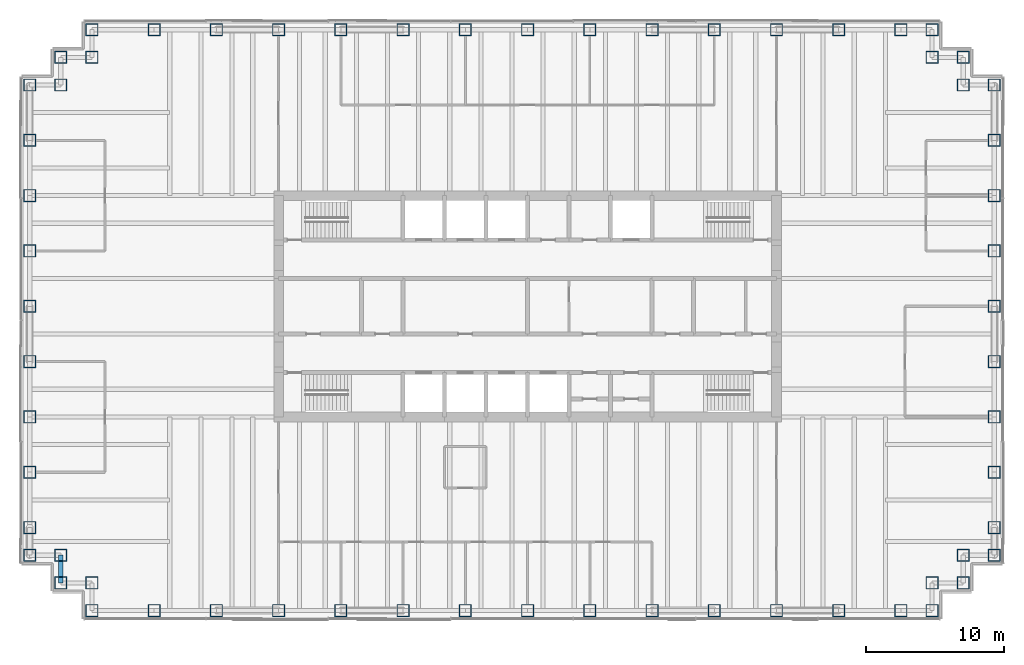
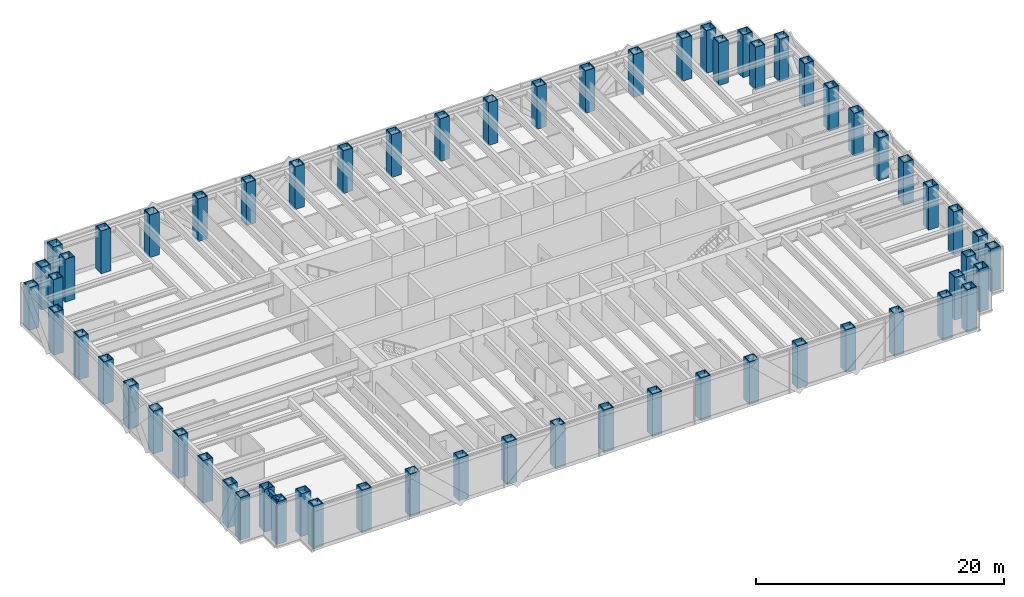
# One storey, part 1 of 15: 62 columns, 1 beam.
"""IFC4 building model written with IfcOpenShell, lengths in metres."""

from ifc_helpers import new_model, si_unit, direction, frame, origin, origin_2d, place, context, subcontext, project, spatial, hollow_rectangle, i_section, extrude, material, material_profile, profile_set, type_object, element, save


model = new_model("IFC4")

# Units and contexts
model_context = context("Model", 3, precision=1e-05, world=origin(), true_north=direction((0.0, 1.0)))
body_context = subcontext(model_context, "Body", "Model", "MODEL_VIEW")
ifc_project = project(units=[si_unit("LENGTHUNIT", "METRE"), si_unit("AREAUNIT", "SQUARE_METRE"), si_unit("VOLUMEUNIT", "CUBIC_METRE"), si_unit("PLANEANGLEUNIT", "RADIAN"), si_unit("MASSUNIT", "GRAM", prefix="KILO")], contexts=[model_context])

# Site, building, storey
site_placement = place(None, origin())
site = spatial("IfcSite", under=ifc_project, at=site_placement, CompositionType="ELEMENT")
building_placement = place(site_placement, origin())
building = spatial("IfcBuilding", under=site, at=building_placement, Name="Rheinbord Bourse Tower", CompositionType="ELEMENT")
storey_placement = place(building_placement, frame((0.0, 0.0, 292.10009765625)))
storey = spatial("IfcBuildingStorey", under=building, at=storey_placement, Name="L66", CompositionType="ELEMENT", Elevation=292.10009765625)

# Columns
ifc_material_1 = material(Name="Steel S460M", Category="steel")
ifc_material_profile_1 = material_profile(ifc_material_1, hollow_rectangle(XDim=0.89990234375, YDim=0.89990234375, WallThickness=0.06005859375, at=origin_2d()), Name="BOX 900x900x60")
ifc_profile_set_1 = profile_set([ifc_material_profile_1], Name="Steel S460M")
column_type = type_object("IfcColumnType", Name="TUBE COLUMN BOX 900x900x60", PredefinedType="COLUMN", material=ifc_profile_set_1)
for number, where, z_axis, x_axis, name in (
    (1, (4.5, 2.0, 0.0), (0.0, 0.0, 1.0), (0.0, 1.0, 0.0), "Column SW-E L66"),
    (2, (9.0, 2.0, 0.0), (0.0, 0.0, 1.0), (0.0, 1.0, 0.0), "Column S-9 L66"),
    (3, (13.5, 2.0, 0.0), (0.0, 0.0, 1.0), (0.0, 1.0, 0.0), "Column S-13.5 L66"),
    (4, (18.0, 2.0, 0.0), (0.0, 0.0, 1.0), (0.0, 1.0, 0.0), "Column S-18 L66"),
    (5, (22.5, 2.0, 0.0), (0.0, 0.0, 1.0), (0.0, 1.0, 0.0), "Column S-22.5 L66"),
    (6, (27.0, 2.0, 0.0), (0.0, 0.0, 1.0), (0.0, 1.0, 0.0), "Column S-27 L66"),
    (7, (31.5, 2.0, 0.0), (0.0, 0.0, 1.0), (0.0, 1.0, 0.0), "Column S-31.5 L66"),
    (8, (36.0, 2.0, 0.0), (0.0, 0.0, 1.0), (0.0, 1.0, 0.0), "Column S-36 L66"),
    (9, (40.5, 2.0, 0.0), (0.0, 0.0, 1.0), (0.0, 1.0, 0.0), "Column S-40.5 L66"),
    (10, (45.0, 2.0, 0.0), (0.0, 0.0, 1.0), (0.0, 1.0, 0.0), "Column S-45 L66"),
    (11, (49.5, 2.0, 0.0), (0.0, 0.0, 1.0), (0.0, 1.0, 0.0), "Column S-49.5 L66"),
    (12, (54.0, 2.0, 0.0), (0.0, 0.0, 1.0), (0.0, 1.0, 0.0), "Column S-54 L66"),
    (13, (58.5, 2.0, 0.0), (0.0, 0.0, 1.0), (0.0, 1.0, 0.0), "Column S-58.5 L66"),
    (14, (63.0, 2.0, 0.0), (0.0, 0.0, 1.0), (0.0, 1.0, 0.0), "Column S-63 L66"),
    (15, (65.25, 2.0, 0.0), (0.0, 0.0, 1.0), (0.0, 1.0, 0.0), "Column SE-E L66"),
    (16, (65.25, 4.0, 0.0), (0.0, 0.0, 1.0), (0.0, 1.0, 0.0), "Column SE-D L66"),
    (17, (67.5, 4.0, 0.0), (0.0, 0.0, 1.0), (1.0, 0.0, 0.0), "Column SE-C L66"),
    (18, (67.5, 6.0, 0.0), (0.0, 0.0, 1.0), (1.0, 0.0, 0.0), "Column SE-B L66"),
    (19, (69.75, 6.0, 0.0), (0.0, 0.0, 1.0), (1.0, 0.0, 0.0), "Column SE-A L66"),
    (20, (69.75, 8.0, 0.0), (0.0, 0.0, 1.0), (1.0, 0.0, 0.0), "Column E-8 L66"),
    (21, (69.75, 12.0, 0.0), (0.0, 0.0, 1.0), (1.0, 0.0, 0.0), "Column E-12 L66"),
    (22, (69.75, 16.0, 0.0), (0.0, 0.0, 1.0), (1.0, 0.0, 0.0), "Column E-16 L66"),
    (23, (69.75, 20.0, 0.0), (0.0, 0.0, 1.0), (1.0, 0.0, 0.0), "Column E-20 L66"),
    (24, (69.75, 24.0, 0.0), (0.0, 0.0, 1.0), (1.0, 0.0, 0.0), "Column E-24 L66"),
    (25, (69.75, 28.0, 0.0), (0.0, 0.0, 1.0), (1.0, 0.0, 0.0), "Column E-28 L66"),
    (26, (69.75, 32.0, 0.0), (0.0, 0.0, 1.0), (1.0, 0.0, 0.0), "Column E-32 L66"),
    (27, (69.75, 36.0, 0.0), (0.0, 0.0, 1.0), (1.0, 0.0, 0.0), "Column E-36 L66"),
    (28, (69.75, 40.0, 0.0), (0.0, 0.0, 1.0), (1.0, 0.0, 0.0), "Column NE-A L66"),
    (29, (67.5, 40.0, 0.0), (0.0, 0.0, 1.0), (1.0, 0.0, 0.0), "Column NE-B L66"),
    (30, (67.5, 42.0, 0.0), (0.0, 0.0, 1.0), (1.0, 0.0, 0.0), "Column NE-C L66"),
    (31, (65.25, 42.0, 0.0), (0.0, 0.0, 1.0), (0.0, 1.0, 0.0), "Column NE-D L66"),
    (32, (65.25, 44.0, 0.0), (0.0, 0.0, 1.0), (0.0, 1.0, 0.0), "Column NE-E L66"),
    (33, (63.0, 44.0, 0.0), (0.0, 0.0, 1.0), (0.0, 1.0, 0.0), "Column N-63 L66"),
    (34, (58.5, 44.0, 0.0), (0.0, 0.0, 1.0), (0.0, 1.0, 0.0), "Column N-58.5 L66"),
    (35, (54.0, 44.0, 0.0), (0.0, 0.0, 1.0), (0.0, 1.0, 0.0), "Column N-54 L66"),
    (36, (49.5, 44.0, 0.0), (0.0, 0.0, 1.0), (0.0, 1.0, 0.0), "Column N-49.5 L66"),
    (37, (45.0, 44.0, 0.0), (0.0, 0.0, 1.0), (0.0, 1.0, 0.0), "Column N-45 L66"),
    (38, (40.5, 44.0, 0.0), (0.0, 0.0, 1.0), (0.0, 1.0, 0.0), "Column N-40.5 L66"),
    (39, (36.0, 44.0, 0.0), (0.0, 0.0, 1.0), (0.0, 1.0, 0.0), "Column N-36 L66"),
    (40, (31.5, 44.0, 0.0), (0.0, 0.0, 1.0), (0.0, 1.0, 0.0), "Column N-31.5 L66"),
    (41, (27.0, 44.0, 0.0), (0.0, 0.0, 1.0), (0.0, 1.0, 0.0), "Column N-27 L66"),
    (42, (22.5, 44.0, 0.0), (0.0, 0.0, 1.0), (0.0, 1.0, 0.0), "Column N-22.5 L66"),
    (43, (18.0, 44.0, 0.0), (0.0, 0.0, 1.0), (0.0, 1.0, 0.0), "Column N-18 L66"),
    (44, (13.5, 44.0, 0.0), (0.0, 0.0, 1.0), (0.0, 1.0, 0.0), "Column N-13.5 L66"),
    (45, (9.0, 44.0, 0.0), (0.0, 0.0, 1.0), (0.0, 1.0, 0.0), "Column N-9 L66"),
    (46, (4.5, 44.0, 0.0), (0.0, 0.0, 1.0), (0.0, 1.0, 0.0), "Column NW-E L66"),
    (47, (4.5, 42.0, 0.0), (0.0, 0.0, 1.0), (0.0, 1.0, 0.0), "Column NW-D L66"),
    (48, (2.25, 42.0, 0.0), (0.0, 0.0, 1.0), (1.0, 0.0, 0.0), "Column NW-C L66"),
    (49, (2.25, 40.0, 0.0), (0.0, 0.0, 1.0), (1.0, 0.0, 0.0), "Column NW-B L66"),
    (50, (0.0, 40.0, 0.0), (0.0, 0.0, 1.0), (1.0, 0.0, 0.0), "Column NW-A L66"),
    (51, (0.0, 36.0, 0.0), (0.0, 0.0, 1.0), (1.0, 0.0, 0.0), "Column W-36 L66"),
    (52, (0.0, 32.0, 0.0), (0.0, 0.0, 1.0), (1.0, 0.0, 0.0), "Column W-32 L66"),
    (53, (0.0, 28.0, 0.0), (0.0, 0.0, 1.0), (1.0, 0.0, 0.0), "Column W-28 L66"),
    (54, (0.0, 24.0, 0.0), (0.0, 0.0, 1.0), (1.0, 0.0, 0.0), "Column W-24 L66"),
    (55, (0.0, 20.0, 0.0), (0.0, 0.0, 1.0), (1.0, 0.0, 0.0), "Column W-20 L66"),
    (56, (0.0, 16.0, 0.0), (0.0, 0.0, 1.0), (1.0, 0.0, 0.0), "Column W-16 L66"),
    (57, (0.0, 12.0, 0.0), (0.0, 0.0, 1.0), (1.0, 0.0, 0.0), "Column W-12 L66"),
    (58, (0.0, 8.0, 0.0), (0.0, 0.0, 1.0), (1.0, 0.0, 0.0), "Column W-8 L66"),
    (59, (0.0, 6.0, 0.0), (0.0, 0.0, 1.0), (1.0, 0.0, 0.0), "Column SW-A L66"),
    (60, (2.25, 6.0, 0.0), (0.0, 0.0, 1.0), (1.0, 0.0, 0.0), "Column SW-B L66"),
    (61, (2.25, 4.0, 0.0), (0.0, 0.0, 1.0), (1.0, 0.0, 0.0), "Column SW-C L66"),
    (62, (4.5, 4.0, 0.0), (0.0, 0.0, 1.0), (0.0, 1.0, 0.0), "Column SW-D L66"),
):
    element("IfcColumn", number, at=place(storey_placement, frame(where, z_axis=z_axis, x_axis=x_axis)), inside=storey, type_object=column_type, Name=name, PredefinedType="COLUMN", context=body_context, shape_type="SweptSolid", body=[
        extrude(hollow_rectangle(XDim=0.89990234375, YDim=0.89990234375, WallThickness=0.06005859375, at=origin_2d()), origin(), (0.0, 0.0, 1.0), 4.199951171875),
    ])

# Beam
ifc_material_2 = material(Name="Steel S460", Category="steel")
ifc_material_profile_2 = material_profile(ifc_material_2, i_section(OverallWidth=0.300048828125, OverallDepth=0.550048828125, WebThickness=0.014892578125, FlangeThickness=0.029052734375, at=origin_2d()), Name="HEB 550")
ifc_profile_set_2 = profile_set([ifc_material_profile_2], Name="Steel S460")
beam_type = type_object("IfcBeamType", Name="SPANDREL HEB 550", PredefinedType="SPANDREL", material=ifc_profile_set_2)
beam_placement = place(storey_placement, frame((2.25, 6.0, 3.764892578125), z_axis=(0.0, -1.0, 0.0), x_axis=(1.0, 0.0, 0.0)))
element("IfcBeam", 63, at=beam_placement, inside=storey, type_object=beam_type, Name="Spandrel SW-B-SW-C under L67", PredefinedType="SPANDREL", context=body_context, shape_type="SweptSolid", body=[
    extrude(i_section(OverallWidth=0.300048828125, OverallDepth=0.550048828125, WebThickness=0.014892578125, FlangeThickness=0.029052734375, at=origin_2d()), origin(), (0.0, 0.0, 1.0), 2.0),
])

save(model, "model.ifc")
